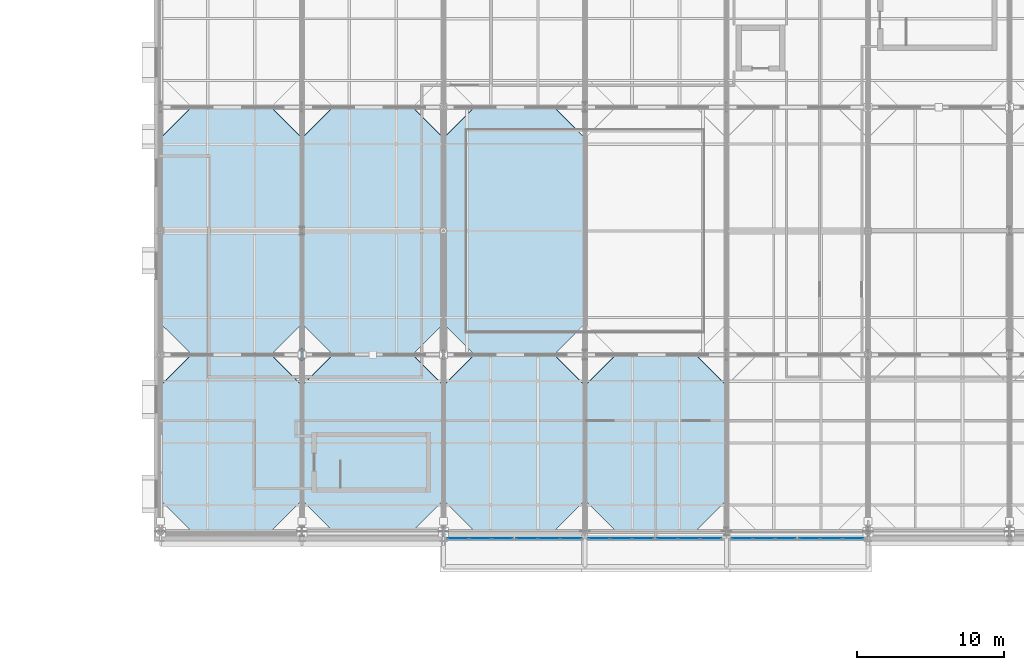
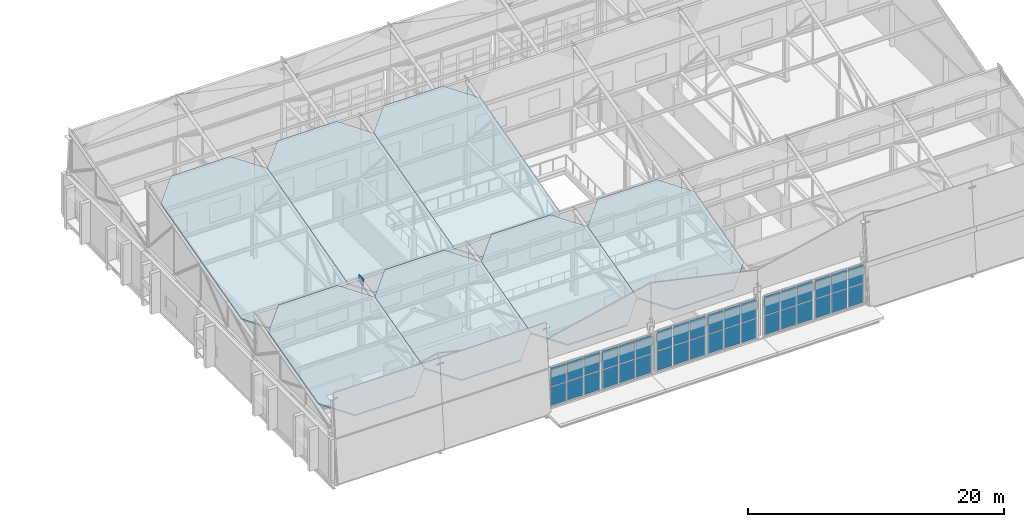
# One storey, part 60 of 89: 37 plates, 7 slabs, 7 elements without a shape of their own.
"""IFC4 building model written with IfcOpenShell, lengths in metres."""

from ifc_helpers import new_model, si_unit, direction, frame, origin, origin_2d, place, context, subcontext, project, spatial, polyline, rectangle, outline, extrude, material, layer, layer_set, type_object, element, aggregate, save


model = new_model("IFC4")

# Units and contexts
model_context = context("Model", 3, precision=1e-05, world=origin(), true_north=direction((0.0, 1.0)))
body_context = subcontext(model_context, "Body", "Model", "MODEL_VIEW")
ifc_project = project(units=[si_unit("LENGTHUNIT", "METRE"), si_unit("AREAUNIT", "SQUARE_METRE"), si_unit("VOLUMEUNIT", "CUBIC_METRE"), si_unit("PLANEANGLEUNIT", "RADIAN"), si_unit("MASSUNIT", "GRAM", prefix="KILO")], contexts=[model_context])

# Site, building, storey
site_placement = place(None, origin())
site = spatial("IfcSite", under=ifc_project, at=site_placement, CompositionType="ELEMENT")
building_placement = place(site_placement, origin())
building = spatial("IfcBuilding", under=site, at=building_placement, Name="Zereglee Splitstone Museum", CompositionType="ELEMENT")
storey_placement = place(building_placement, frame((0.0, 0.0, 21.300048828125)))
storey = spatial("IfcBuildingStorey", under=building, at=storey_placement, Name="L04", CompositionType="ELEMENT", Elevation=21.300048828125)

# Curtain wall, plates
ifc_material_1 = material(Name="Triple-glazed low-E argon glass and bronze-anodised aluminium", Category="aluminium")
ifc_layer_1 = layer(ifc_material_1, 0.219970703125)
ifc_layer_set_1 = layer_set([ifc_layer_1], Name="Triple-glazed low-E argon glass and bronze-anodised aluminium")
curtain_wall_type_1 = type_object("IfcCurtainWallType", Name="CW-0458-378", PredefinedType="USERDEFINED", material=ifc_layer_set_1)
curtain_wall_1_placement = place(storey_placement, origin())
curtain_wall_1 = element("IfcCurtainWall", 1, at=curtain_wall_1_placement, inside=storey, type_object=curtain_wall_type_1, Name="Glazed Curtain Wall CW-0458-378 (L04)", ObjectType="GLAZED CURTAIN WALL", PredefinedType="USERDEFINED")
ifc_material_2 = material(Name="Triple low-e argon insulated safety glass", Category="glass")
ifc_layer_2 = layer(ifc_material_2, 0.035888671875)
ifc_layer_set_2 = layer_set([ifc_layer_2], Name="Triple low-e argon insulated safety glass")
plate_type_1 = type_object("IfcPlateType", Name="CWP-01", PredefinedType="CURTAIN_PANEL", material=ifc_layer_set_2)
plate_1_placement = place(storey_placement, frame((98.189697265625, 9.1201171875, 0.07470703125), z_axis=(0.0, 0.0, 1.0), x_axis=(1.0, 0.0, 0.0)))
plate_1 = element("IfcPlate", 2, at=plate_1_placement, type_object=plate_type_1, Name="CW-0458-378 panel 1.1", PredefinedType="CURTAIN_PANEL", context=body_context, shape_type="SweptSolid", body=[
    extrude(rectangle(XDim=1.4130859375, YDim=0.035888671875, at=origin_2d()), origin(), (0.0, 0.0, 1.0), 1.777587890625),
])
plate_2_placement = place(storey_placement, frame((98.189697265625, 9.1201171875, 1.92724609375), z_axis=(0.0, 0.0, 1.0), x_axis=(1.0, 0.0, 0.0)))
plate_2 = element("IfcPlate", 3, at=plate_2_placement, type_object=plate_type_1, Name="CW-0458-378 panel 1.2", PredefinedType="CURTAIN_PANEL", context=body_context, shape_type="SweptSolid", body=[
    extrude(rectangle(XDim=1.4130859375, YDim=0.035888671875, at=origin_2d()), origin(), (0.0, 0.0, 1.0), 1.777587890625),
])
plate_3_placement = place(storey_placement, frame((99.696533203125, 9.1201171875, 0.07470703125), z_axis=(0.0, 0.0, 1.0), x_axis=(1.0, 0.0, 0.0)))
plate_3 = element("IfcPlate", 4, at=plate_3_placement, type_object=plate_type_1, Name="CW-0458-378 panel 2.1", PredefinedType="CURTAIN_PANEL", context=body_context, shape_type="SweptSolid", body=[
    extrude(rectangle(XDim=1.45068359375, YDim=0.035888671875, at=origin_2d()), origin(), (0.0, 0.0, 1.0), 1.777587890625),
])
plate_4_placement = place(storey_placement, frame((99.696533203125, 9.1201171875, 1.92724609375), z_axis=(0.0, 0.0, 1.0), x_axis=(1.0, 0.0, 0.0)))
plate_4 = element("IfcPlate", 5, at=plate_4_placement, type_object=plate_type_1, Name="CW-0458-378 panel 2.2", PredefinedType="CURTAIN_PANEL", context=body_context, shape_type="SweptSolid", body=[
    extrude(rectangle(XDim=1.45068359375, YDim=0.035888671875, at=origin_2d()), origin(), (0.0, 0.0, 1.0), 1.777587890625),
])
plate_5_placement = place(storey_placement, frame((101.203369140625, 9.1201171875, 0.07470703125), z_axis=(0.0, 0.0, 1.0), x_axis=(1.0, 0.0, 0.0)))
plate_5 = element("IfcPlate", 6, at=plate_5_placement, type_object=plate_type_1, Name="CW-0458-378 panel 3.1", PredefinedType="CURTAIN_PANEL", context=body_context, shape_type="SweptSolid", body=[
    extrude(rectangle(XDim=1.4130859375, YDim=0.035888671875, at=origin_2d()), origin(), (0.0, 0.0, 1.0), 1.777587890625),
])
plate_6_placement = place(storey_placement, frame((101.203369140625, 9.1201171875, 1.92724609375), z_axis=(0.0, 0.0, 1.0), x_axis=(1.0, 0.0, 0.0)))
plate_6 = element("IfcPlate", 7, at=plate_6_placement, type_object=plate_type_1, Name="CW-0458-378 panel 3.2", PredefinedType="CURTAIN_PANEL", context=body_context, shape_type="SweptSolid", body=[
    extrude(rectangle(XDim=1.4130859375, YDim=0.035888671875, at=origin_2d()), origin(), (0.0, 0.0, 1.0), 1.777587890625),
])
aggregate(curtain_wall_1, [plate_1, plate_2, plate_3, plate_4, plate_5, plate_6])

ifc_layer_3 = layer(ifc_material_1, 0.219970703125)
ifc_layer_set_3 = layer_set([ifc_layer_3], Name="Triple-glazed low-E argon glass and bronze-anodised aluminium")
curtain_wall_type_2 = type_object("IfcCurtainWallType", Name="CW-0458-376", PredefinedType="USERDEFINED", material=ifc_layer_set_3)
curtain_wall_2_placement = place(storey_placement, origin())
curtain_wall_2 = element("IfcCurtainWall", 8, at=curtain_wall_2_placement, inside=storey, type_object=curtain_wall_type_2, Name="Glazed Curtain Wall CW-0458-376 (L04)", ObjectType="GLAZED CURTAIN WALL", PredefinedType="USERDEFINED")
plate_7_placement = place(storey_placement, frame((102.8466796875, 9.1201171875, 0.074951171875), z_axis=(0.0, 0.0, 1.0), x_axis=(1.0, 0.0, 0.0)))
plate_7 = element("IfcPlate", 9, at=plate_7_placement, type_object=plate_type_1, Name="CW-0458-376 panel 1.1", PredefinedType="CURTAIN_PANEL", context=body_context, shape_type="SweptSolid", body=[
    extrude(rectangle(XDim=1.4130859375, YDim=0.035888671875, at=origin_2d()), origin(), (0.0, 0.0, 1.0), 1.767578125),
])
plate_8_placement = place(storey_placement, frame((102.8466796875, 9.1201171875, 1.91748046875), z_axis=(0.0, 0.0, 1.0), x_axis=(1.0, 0.0, 0.0)))
plate_8 = element("IfcPlate", 10, at=plate_8_placement, type_object=plate_type_1, Name="CW-0458-376 panel 1.2", PredefinedType="CURTAIN_PANEL", context=body_context, shape_type="SweptSolid", body=[
    extrude(rectangle(XDim=1.4130859375, YDim=0.035888671875, at=origin_2d()), origin(), (0.0, 0.0, 1.0), 1.767578125),
])
plate_9_placement = place(storey_placement, frame((104.353515625, 9.1201171875, 0.074951171875), z_axis=(0.0, 0.0, 1.0), x_axis=(1.0, 0.0, 0.0)))
plate_9 = element("IfcPlate", 11, at=plate_9_placement, type_object=plate_type_1, Name="CW-0458-376 panel 2.1", PredefinedType="CURTAIN_PANEL", context=body_context, shape_type="SweptSolid", body=[
    extrude(rectangle(XDim=1.45068359375, YDim=0.035888671875, at=origin_2d()), origin(), (0.0, 0.0, 1.0), 1.767578125),
])
plate_10_placement = place(storey_placement, frame((104.353515625, 9.1201171875, 1.91748046875), z_axis=(0.0, 0.0, 1.0), x_axis=(1.0, 0.0, 0.0)))
plate_10 = element("IfcPlate", 12, at=plate_10_placement, type_object=plate_type_1, Name="CW-0458-376 panel 2.2", PredefinedType="CURTAIN_PANEL", context=body_context, shape_type="SweptSolid", body=[
    extrude(rectangle(XDim=1.45068359375, YDim=0.035888671875, at=origin_2d()), origin(), (0.0, 0.0, 1.0), 1.767578125),
])
plate_11_placement = place(storey_placement, frame((105.8603515625, 9.1201171875, 0.074951171875), z_axis=(0.0, 0.0, 1.0), x_axis=(1.0, 0.0, 0.0)))
plate_11 = element("IfcPlate", 13, at=plate_11_placement, type_object=plate_type_1, Name="CW-0458-376 panel 3.1", PredefinedType="CURTAIN_PANEL", context=body_context, shape_type="SweptSolid", body=[
    extrude(rectangle(XDim=1.4130859375, YDim=0.035888671875, at=origin_2d()), origin(), (0.0, 0.0, 1.0), 1.767578125),
])
plate_12_placement = place(storey_placement, frame((105.8603515625, 9.1201171875, 1.91748046875), z_axis=(0.0, 0.0, 1.0), x_axis=(1.0, 0.0, 0.0)))
plate_12 = element("IfcPlate", 14, at=plate_12_placement, type_object=plate_type_1, Name="CW-0458-376 panel 3.2", PredefinedType="CURTAIN_PANEL", context=body_context, shape_type="SweptSolid", body=[
    extrude(rectangle(XDim=1.4130859375, YDim=0.035888671875, at=origin_2d()), origin(), (0.0, 0.0, 1.0), 1.767578125),
])
aggregate(curtain_wall_2, [plate_7, plate_8, plate_9, plate_10, plate_11, plate_12])

ifc_layer_4 = layer(ifc_material_1, 0.219970703125)
ifc_layer_set_4 = layer_set([ifc_layer_4], Name="Triple-glazed low-E argon glass and bronze-anodised aluminium")
curtain_wall_type_3 = type_object("IfcCurtainWallType", Name="CW-0454-390", PredefinedType="USERDEFINED", material=ifc_layer_set_4)
curtain_wall_3_placement = place(storey_placement, origin())
curtain_wall_3 = element("IfcCurtainWall", 15, at=curtain_wall_3_placement, inside=storey, type_object=curtain_wall_type_3, Name="Glazed Curtain Wall CW-0454-390 (L04)", ObjectType="GLAZED CURTAIN WALL", PredefinedType="USERDEFINED")
plate_13_placement = place(storey_placement, frame((107.7333984375, 9.1201171875, 0.074951171875), z_axis=(0.0, 0.0, 1.0), x_axis=(1.0, 0.0, 0.0)))
plate_13 = element("IfcPlate", 16, at=plate_13_placement, type_object=plate_type_1, Name="CW-0454-390 panel 1.1", PredefinedType="CURTAIN_PANEL", context=body_context, shape_type="SweptSolid", body=[
    extrude(rectangle(XDim=1.400634765625, YDim=0.035888671875, at=origin_2d()), origin(), (0.0, 0.0, 1.0), 1.83740234375),
])
plate_14_placement = place(storey_placement, frame((107.7333984375, 9.1201171875, 1.987548828125), z_axis=(0.0, 0.0, 1.0), x_axis=(1.0, 0.0, 0.0)))
plate_14 = element("IfcPlate", 17, at=plate_14_placement, type_object=plate_type_1, Name="CW-0454-390 panel 1.2", PredefinedType="CURTAIN_PANEL", context=body_context, shape_type="SweptSolid", body=[
    extrude(rectangle(XDim=1.400634765625, YDim=0.035888671875, at=origin_2d()), origin(), (0.0, 0.0, 1.0), 1.83740234375),
])
plate_15_placement = place(storey_placement, frame((109.227783203125, 9.1201171875, 0.074951171875), z_axis=(0.0, 0.0, 1.0), x_axis=(1.0, 0.0, 0.0)))
plate_15 = element("IfcPlate", 18, at=plate_15_placement, type_object=plate_type_1, Name="CW-0454-390 panel 2.1", PredefinedType="CURTAIN_PANEL", context=body_context, shape_type="SweptSolid", body=[
    extrude(rectangle(XDim=1.438232421875, YDim=0.035888671875, at=origin_2d()), origin(), (0.0, 0.0, 1.0), 1.83740234375),
])
plate_16_placement = place(storey_placement, frame((109.227783203125, 9.1201171875, 1.987548828125), z_axis=(0.0, 0.0, 1.0), x_axis=(1.0, 0.0, 0.0)))
plate_16 = element("IfcPlate", 19, at=plate_16_placement, type_object=plate_type_1, Name="CW-0454-390 panel 2.2", PredefinedType="CURTAIN_PANEL", context=body_context, shape_type="SweptSolid", body=[
    extrude(rectangle(XDim=1.438232421875, YDim=0.035888671875, at=origin_2d()), origin(), (0.0, 0.0, 1.0), 1.83740234375),
])
plate_17_placement = place(storey_placement, frame((110.72216796875, 9.1201171875, 0.074951171875), z_axis=(0.0, 0.0, 1.0), x_axis=(1.0, 0.0, 0.0)))
plate_17 = element("IfcPlate", 20, at=plate_17_placement, type_object=plate_type_1, Name="CW-0454-390 panel 3.1", PredefinedType="CURTAIN_PANEL", context=body_context, shape_type="SweptSolid", body=[
    extrude(rectangle(XDim=1.400634765625, YDim=0.035888671875, at=origin_2d()), origin(), (0.0, 0.0, 1.0), 1.83740234375),
])
plate_18_placement = place(storey_placement, frame((110.72216796875, 9.1201171875, 1.987548828125), z_axis=(0.0, 0.0, 1.0), x_axis=(1.0, 0.0, 0.0)))
plate_18 = element("IfcPlate", 21, at=plate_18_placement, type_object=plate_type_1, Name="CW-0454-390 panel 3.2", PredefinedType="CURTAIN_PANEL", context=body_context, shape_type="SweptSolid", body=[
    extrude(rectangle(XDim=1.400634765625, YDim=0.035888671875, at=origin_2d()), origin(), (0.0, 0.0, 1.0), 1.83740234375),
])
aggregate(curtain_wall_3, [plate_13, plate_14, plate_15, plate_16, plate_17, plate_18])

ifc_layer_5 = layer(ifc_material_1, 0.219970703125)
ifc_layer_set_5 = layer_set([ifc_layer_5], Name="Triple-glazed low-E argon glass and bronze-anodised aluminium")
curtain_wall_type_4 = type_object("IfcCurtainWallType", Name="CW-0454-388", PredefinedType="USERDEFINED", material=ifc_layer_set_5)
curtain_wall_4_placement = place(storey_placement, origin())
curtain_wall_4 = element("IfcCurtainWall", 22, at=curtain_wall_4_placement, inside=storey, type_object=curtain_wall_type_4, Name="Glazed Curtain Wall CW-0454-388 (L04)", ObjectType="GLAZED CURTAIN WALL", PredefinedType="USERDEFINED")
plate_19_placement = place(storey_placement, frame((112.352783203125, 9.1201171875, 0.0751953125), z_axis=(0.0, 0.0, 1.0), x_axis=(1.0, 0.0, 0.0)))
plate_19 = element("IfcPlate", 23, at=plate_19_placement, type_object=plate_type_1, Name="CW-0454-388 panel 1.1", PredefinedType="CURTAIN_PANEL", context=body_context, shape_type="SweptSolid", body=[
    extrude(rectangle(XDim=1.400634765625, YDim=0.035888671875, at=origin_2d()), origin(), (0.0, 0.0, 1.0), 1.827392578125),
])
plate_20_placement = place(storey_placement, frame((112.352783203125, 9.1201171875, 1.9775390625), z_axis=(0.0, 0.0, 1.0), x_axis=(1.0, 0.0, 0.0)))
plate_20 = element("IfcPlate", 24, at=plate_20_placement, type_object=plate_type_1, Name="CW-0454-388 panel 1.2", PredefinedType="CURTAIN_PANEL", context=body_context, shape_type="SweptSolid", body=[
    extrude(rectangle(XDim=1.400634765625, YDim=0.035888671875, at=origin_2d()), origin(), (0.0, 0.0, 1.0), 1.827392578125),
])
plate_21_placement = place(storey_placement, frame((113.84716796875, 9.1201171875, 0.0751953125), z_axis=(0.0, 0.0, 1.0), x_axis=(1.0, 0.0, 0.0)))
plate_21 = element("IfcPlate", 25, at=plate_21_placement, type_object=plate_type_1, Name="CW-0454-388 panel 2.1", PredefinedType="CURTAIN_PANEL", context=body_context, shape_type="SweptSolid", body=[
    extrude(rectangle(XDim=1.438232421875, YDim=0.035888671875, at=origin_2d()), origin(), (0.0, 0.0, 1.0), 1.827392578125),
])
plate_22_placement = place(storey_placement, frame((113.84716796875, 9.1201171875, 1.9775390625), z_axis=(0.0, 0.0, 1.0), x_axis=(1.0, 0.0, 0.0)))
plate_22 = element("IfcPlate", 26, at=plate_22_placement, type_object=plate_type_1, Name="CW-0454-388 panel 2.2", PredefinedType="CURTAIN_PANEL", context=body_context, shape_type="SweptSolid", body=[
    extrude(rectangle(XDim=1.438232421875, YDim=0.035888671875, at=origin_2d()), origin(), (0.0, 0.0, 1.0), 1.827392578125),
])
plate_23_placement = place(storey_placement, frame((115.341552734375, 9.1201171875, 0.0751953125), z_axis=(0.0, 0.0, 1.0), x_axis=(1.0, 0.0, 0.0)))
plate_23 = element("IfcPlate", 27, at=plate_23_placement, type_object=plate_type_1, Name="CW-0454-388 panel 3.1", PredefinedType="CURTAIN_PANEL", context=body_context, shape_type="SweptSolid", body=[
    extrude(rectangle(XDim=1.400634765625, YDim=0.035888671875, at=origin_2d()), origin(), (0.0, 0.0, 1.0), 1.827392578125),
])
plate_24_placement = place(storey_placement, frame((115.341552734375, 9.1201171875, 1.9775390625), z_axis=(0.0, 0.0, 1.0), x_axis=(1.0, 0.0, 0.0)))
plate_24 = element("IfcPlate", 28, at=plate_24_placement, type_object=plate_type_1, Name="CW-0454-388 panel 3.2", PredefinedType="CURTAIN_PANEL", context=body_context, shape_type="SweptSolid", body=[
    extrude(rectangle(XDim=1.400634765625, YDim=0.035888671875, at=origin_2d()), origin(), (0.0, 0.0, 1.0), 1.827392578125),
])
aggregate(curtain_wall_4, [plate_19, plate_20, plate_21, plate_22, plate_23, plate_24])

ifc_layer_6 = layer(ifc_material_1, 0.219970703125)
ifc_layer_set_6 = layer_set([ifc_layer_6], Name="Triple-glazed low-E argon glass and bronze-anodised aluminium")
curtain_wall_type_5 = type_object("IfcCurtainWallType", Name="CW-0450-384", PredefinedType="USERDEFINED", material=ifc_layer_set_6)
curtain_wall_5_placement = place(storey_placement, origin())
curtain_wall_5 = element("IfcCurtainWall", 29, at=curtain_wall_5_placement, inside=storey, type_object=curtain_wall_type_5, Name="Glazed Curtain Wall CW-0450-384 (L04)", ObjectType="GLAZED CURTAIN WALL", PredefinedType="USERDEFINED")
plate_25_placement = place(storey_placement, frame((117.451904296875, 9.1201171875, 0.074951171875), z_axis=(0.0, 0.0, 1.0), x_axis=(1.0, 0.0, 0.0)))
plate_25 = element("IfcPlate", 30, at=plate_25_placement, type_object=plate_type_1, Name="CW-0450-384 panel 1.1", PredefinedType="CURTAIN_PANEL", context=body_context, shape_type="SweptSolid", body=[
    extrude(rectangle(XDim=1.3876953125, YDim=0.035888671875, at=origin_2d()), origin(), (0.0, 0.0, 1.0), 1.8076171875),
])
plate_26_placement = place(storey_placement, frame((117.451904296875, 9.1201171875, 1.957275390625), z_axis=(0.0, 0.0, 1.0), x_axis=(1.0, 0.0, 0.0)))
plate_26 = element("IfcPlate", 31, at=plate_26_placement, type_object=plate_type_1, Name="CW-0450-384 panel 1.2", PredefinedType="CURTAIN_PANEL", context=body_context, shape_type="SweptSolid", body=[
    extrude(rectangle(XDim=1.3876953125, YDim=0.035888671875, at=origin_2d()), origin(), (0.0, 0.0, 1.0), 1.8076171875),
])
plate_27_placement = place(storey_placement, frame((118.93310546875, 9.1201171875, 0.074951171875), z_axis=(0.0, 0.0, 1.0), x_axis=(1.0, 0.0, 0.0)))
plate_27 = element("IfcPlate", 32, at=plate_27_placement, type_object=plate_type_1, Name="CW-0450-384 panel 2.1", PredefinedType="CURTAIN_PANEL", context=body_context, shape_type="SweptSolid", body=[
    extrude(rectangle(XDim=1.425048828125, YDim=0.035888671875, at=origin_2d()), origin(), (0.0, 0.0, 1.0), 1.8076171875),
])
plate_28_placement = place(storey_placement, frame((118.93310546875, 9.1201171875, 1.957275390625), z_axis=(0.0, 0.0, 1.0), x_axis=(1.0, 0.0, 0.0)))
plate_28 = element("IfcPlate", 33, at=plate_28_placement, type_object=plate_type_1, Name="CW-0450-384 panel 2.2", PredefinedType="CURTAIN_PANEL", context=body_context, shape_type="SweptSolid", body=[
    extrude(rectangle(XDim=1.425048828125, YDim=0.035888671875, at=origin_2d()), origin(), (0.0, 0.0, 1.0), 1.8076171875),
])
plate_29_placement = place(storey_placement, frame((120.41455078125, 9.1201171875, 0.074951171875), z_axis=(0.0, 0.0, 1.0), x_axis=(1.0, 0.0, 0.0)))
plate_29 = element("IfcPlate", 34, at=plate_29_placement, type_object=plate_type_1, Name="CW-0450-384 panel 3.1", PredefinedType="CURTAIN_PANEL", context=body_context, shape_type="SweptSolid", body=[
    extrude(rectangle(XDim=1.3876953125, YDim=0.035888671875, at=origin_2d()), origin(), (0.0, 0.0, 1.0), 1.8076171875),
])
plate_30_placement = place(storey_placement, frame((120.41455078125, 9.1201171875, 1.957275390625), z_axis=(0.0, 0.0, 1.0), x_axis=(1.0, 0.0, 0.0)))
plate_30 = element("IfcPlate", 35, at=plate_30_placement, type_object=plate_type_1, Name="CW-0450-384 panel 3.2", PredefinedType="CURTAIN_PANEL", context=body_context, shape_type="SweptSolid", body=[
    extrude(rectangle(XDim=1.3876953125, YDim=0.035888671875, at=origin_2d()), origin(), (0.0, 0.0, 1.0), 1.8076171875),
])
aggregate(curtain_wall_5, [plate_25, plate_26, plate_27, plate_28, plate_29, plate_30])

ifc_layer_7 = layer(ifc_material_1, 0.219970703125)
ifc_layer_set_7 = layer_set([ifc_layer_7], Name="Triple-glazed low-E argon glass and bronze-anodised aluminium")
curtain_wall_type_6 = type_object("IfcCurtainWallType", Name="CW-0450-382", PredefinedType="USERDEFINED", material=ifc_layer_set_7)
curtain_wall_6_placement = place(storey_placement, origin())
curtain_wall_6 = element("IfcCurtainWall", 36, at=curtain_wall_6_placement, inside=storey, type_object=curtain_wall_type_6, Name="Glazed Curtain Wall CW-0450-382 (L04)", ObjectType="GLAZED CURTAIN WALL", PredefinedType="USERDEFINED")
plate_31_placement = place(storey_placement, frame((122.031982421875, 9.1201171875, 0.07470703125), z_axis=(0.0, 0.0, 1.0), x_axis=(1.0, 0.0, 0.0)))
plate_31 = element("IfcPlate", 37, at=plate_31_placement, type_object=plate_type_1, Name="CW-0450-382 panel 1.1", PredefinedType="CURTAIN_PANEL", context=body_context, shape_type="SweptSolid", body=[
    extrude(rectangle(XDim=1.3876953125, YDim=0.035888671875, at=origin_2d()), origin(), (0.0, 0.0, 1.0), 1.797607421875),
])
plate_32_placement = place(storey_placement, frame((122.031982421875, 9.1201171875, 1.947265625), z_axis=(0.0, 0.0, 1.0), x_axis=(1.0, 0.0, 0.0)))
plate_32 = element("IfcPlate", 38, at=plate_32_placement, type_object=plate_type_1, Name="CW-0450-382 panel 1.2", PredefinedType="CURTAIN_PANEL", context=body_context, shape_type="SweptSolid", body=[
    extrude(rectangle(XDim=1.3876953125, YDim=0.035888671875, at=origin_2d()), origin(), (0.0, 0.0, 1.0), 1.797607421875),
])
plate_33_placement = place(storey_placement, frame((123.513427734375, 9.1201171875, 0.07470703125), z_axis=(0.0, 0.0, 1.0), x_axis=(1.0, 0.0, 0.0)))
plate_33 = element("IfcPlate", 39, at=plate_33_placement, type_object=plate_type_1, Name="CW-0450-382 panel 2.1", PredefinedType="CURTAIN_PANEL", context=body_context, shape_type="SweptSolid", body=[
    extrude(rectangle(XDim=1.425048828125, YDim=0.035888671875, at=origin_2d()), origin(), (0.0, 0.0, 1.0), 1.797607421875),
])
plate_34_placement = place(storey_placement, frame((123.513427734375, 9.1201171875, 1.947265625), z_axis=(0.0, 0.0, 1.0), x_axis=(1.0, 0.0, 0.0)))
plate_34 = element("IfcPlate", 40, at=plate_34_placement, type_object=plate_type_1, Name="CW-0450-382 panel 2.2", PredefinedType="CURTAIN_PANEL", context=body_context, shape_type="SweptSolid", body=[
    extrude(rectangle(XDim=1.425048828125, YDim=0.035888671875, at=origin_2d()), origin(), (0.0, 0.0, 1.0), 1.797607421875),
])
plate_35_placement = place(storey_placement, frame((124.99462890625, 9.1201171875, 0.07470703125), z_axis=(0.0, 0.0, 1.0), x_axis=(1.0, 0.0, 0.0)))
plate_35 = element("IfcPlate", 41, at=plate_35_placement, type_object=plate_type_1, Name="CW-0450-382 panel 3.1", PredefinedType="CURTAIN_PANEL", context=body_context, shape_type="SweptSolid", body=[
    extrude(rectangle(XDim=1.3876953125, YDim=0.035888671875, at=origin_2d()), origin(), (0.0, 0.0, 1.0), 1.797607421875),
])
plate_36_placement = place(storey_placement, frame((124.99462890625, 9.1201171875, 1.947265625), z_axis=(0.0, 0.0, 1.0), x_axis=(1.0, 0.0, 0.0)))
plate_36 = element("IfcPlate", 42, at=plate_36_placement, type_object=plate_type_1, Name="CW-0450-382 panel 3.2", PredefinedType="CURTAIN_PANEL", context=body_context, shape_type="SweptSolid", body=[
    extrude(rectangle(XDim=1.3876953125, YDim=0.035888671875, at=origin_2d()), origin(), (0.0, 0.0, 1.0), 1.797607421875),
])
aggregate(curtain_wall_6, [plate_31, plate_32, plate_33, plate_34, plate_35, plate_36])

# Plate
ifc_material_3 = material(Name="Steel S355J2", Category="steel")
ifc_layer_8 = layer(ifc_material_3, 0.06005859375)
ifc_layer_set_8 = layer_set([ifc_layer_8], Name="Steel S355J2")
plate_type_2 = type_object("IfcPlateType", Name="NP-01", PredefinedType="SHEET", material=ifc_layer_set_8)
plate_37_placement = place(storey_placement, frame((87.60009765625, 21.60009765625, 7.58984375), z_axis=(0.0, 0.0, 1.0), x_axis=(1.0, 0.0, 0.0)))
element("IfcPlate", 43, at=plate_37_placement, inside=storey, type_object=plate_type_2, Name="Sawtooth Truss Node Plate TN-02-1.3", PredefinedType="SHEET", context=body_context, shape_type="SweptSolid", body=[
    extrude(rectangle(XDim=0.06005859375, YDim=0.719970703125, at=origin_2d()), origin(), (0.0, 0.0, 1.0), 0.719970703125),
])

# Roof, slabs
ifc_material_4 = material(Name="Standing-seam zinc roofing on Concrete C35/45", Category="concrete")
ifc_layer_9 = layer(ifc_material_4, 0.219970703125)
ifc_layer_set_9 = layer_set([ifc_layer_9], Name="Concrete C35/45")
roof_type = type_object("IfcRoofType", Name="RF-A1", PredefinedType="SHED_ROOF", material=ifc_layer_set_9)
roof_placement = place(storey_placement, origin())
roof = element("IfcRoof", 44, at=roof_placement, inside=storey, type_object=roof_type, Name="Seven-Bay North-Light Sawtooth Roof Assembly V2", PredefinedType="SHED_ROOF")
ifc_material_5 = material(Name="Concrete C35/45", Category="concrete")
ifc_layer_10 = layer(ifc_material_5, 0.159912109375)
ifc_layer_set_10 = layer_set([ifc_layer_10], Name="Concrete C35/45")
slab_type = type_object("IfcSlabType", Name="RS-06", PredefinedType="ROOF", material=ifc_layer_set_10)
slab_1_placement = place(storey_placement, frame((80.112060546875, 9.60009765625, 5.0), z_axis=(0.0, -0.257656921176, 0.966236467419), x_axis=(1.0, 0.0, 0.0)))
slab_1 = element("IfcSlab", 45, at=slab_1_placement, type_object=slab_type, Name="Sawtooth Roof Slab Bay 1 Shed 1", PredefinedType="ROOF", context=body_context, shape_type="SweptSolid", body=[
    extrude(outline(polyline([(0.0, 0.0), (5.3759765625, 0.0), (7.488037109375, 2.1856347559390357), (7.488037109375, 10.233456522371243), (5.3759765625, 12.419327175885332), (0.0, 12.419327175885332), (-2.112060546875, 10.233456522371243), (-2.112060546875, 2.1856347559390357), (0.0, 0.0)])), origin(), (0.0, 0.0, -1.0), 0.159912109375),
])
slab_2_placement = place(storey_placement, frame((80.112060546875, 21.60009765625, 5.800048828125), z_axis=(0.0, -0.258735788064, 0.9659481311), x_axis=(1.0, 0.0, 0.0)))
slab_2 = element("IfcSlab", 46, at=slab_2_placement, type_object=slab_type, Name="Sawtooth Roof Slab Bay 1 Shed 2", PredefinedType="ROOF", context=body_context, shape_type="SweptSolid", body=[
    extrude(outline(polyline([(0.0, 0.0), (5.3759765625, 0.0), (7.488037109375, 2.1862651745498622), (7.488037109375, 15.205722644550846), (5.3759765625, 17.392050987017715), (0.0, 17.392050987017715), (-2.112060546875, 15.205722644550846), (-2.112060546875, 2.1862651745498622), (0.0, 0.0)])), origin(), (0.0, 0.0, -1.0), 0.159912109375),
])
slab_3_placement = place(storey_placement, frame((89.7119140625, 9.60009765625, 5.0), z_axis=(0.0, -0.257656921248, 0.9662364674), x_axis=(1.0, 0.0, 0.0)))
slab_3 = element("IfcSlab", 47, at=slab_3_placement, type_object=slab_type, Name="Sawtooth Roof Slab Bay 2 Shed 1", PredefinedType="ROOF", context=body_context, shape_type="SweptSolid", body=[
    extrude(outline(polyline([(0.0, 0.0), (5.3759765625, 0.0), (7.488037109375, 2.1856347559390428), (7.488037109375, 10.233456522371243), (5.3759765625, 12.419327175885334), (0.0, 12.419327175885334), (-2.11181640625, 10.233456522371243), (-2.11181640625, 2.1856347559390428), (0.0, 0.0)])), origin(), (0.0, 0.0, -1.0), 0.159912109375),
])
slab_4_placement = place(storey_placement, frame((89.7119140625, 21.60009765625, 5.800048828125), z_axis=(0.0, -0.258735788171, 0.965948131071), x_axis=(1.0, 0.0, 0.0)))
slab_4 = element("IfcSlab", 48, at=slab_4_placement, type_object=slab_type, Name="Sawtooth Roof Slab Bay 2 Shed 2", PredefinedType="ROOF", context=body_context, shape_type="SweptSolid", body=[
    extrude(outline(polyline([(0.0, 0.0), (5.3759765625, 0.0), (7.488037109375, 2.1862651745498627), (7.488037109375, 15.205722644550823), (5.3759765625, 17.392050987017722), (0.0, 17.392050987017722), (-2.11181640625, 15.205722644550823), (-2.11181640625, 2.1862651745498627), (0.0, 0.0)])), origin(), (0.0, 0.0, -1.0), 0.159912109375),
])
slab_5_placement = place(storey_placement, frame((99.31201171875, 9.60009765625, 5.0), z_axis=(0.0, -0.257656921176, 0.966236467419), x_axis=(1.0, 0.0, 0.0)))
slab_5 = element("IfcSlab", 49, at=slab_5_placement, type_object=slab_type, Name="Sawtooth Roof Slab Bay 3 Shed 1", PredefinedType="ROOF", context=body_context, shape_type="SweptSolid", body=[
    extrude(outline(polyline([(0.0, 0.0), (5.3759765625, 0.0), (7.488037109375, 2.1856347559390357), (7.488037109375, 10.233456522371243), (5.3759765625, 12.419327175885332), (0.0, 12.419327175885332), (-2.112060546875, 10.233456522371243), (-2.112060546875, 2.1856347559390357), (0.0, 0.0)])), origin(), (0.0, 0.0, -1.0), 0.159912109375),
])
slab_6_placement = place(storey_placement, frame((99.31201171875, 21.60009765625, 5.800048828125), z_axis=(0.0, -0.258735788064, 0.9659481311), x_axis=(1.0, 0.0, 0.0)))
slab_6 = element("IfcSlab", 50, at=slab_6_placement, type_object=slab_type, Name="Sawtooth Roof Slab Bay 3 Shed 2", PredefinedType="ROOF", context=body_context, shape_type="SweptSolid", body=[
    extrude(outline(polyline([(0.0, 0.0), (5.3759765625, 0.0), (7.488037109375, 2.1862651745498622), (7.488037109375, 15.205722644550846), (5.3759765625, 17.392050987017715), (0.0, 17.392050987017715), (-2.112060546875, 15.205722644550846), (-2.112060546875, 2.1862651745498622), (0.0, 0.0)])), origin(), (0.0, 0.0, -1.0), 0.159912109375),
])
slab_7_placement = place(storey_placement, frame((108.912109375, 9.60009765625, 5.0), z_axis=(0.0, -0.257656921248, 0.9662364674), x_axis=(1.0, 0.0, 0.0)))
slab_7 = element("IfcSlab", 51, at=slab_7_placement, type_object=slab_type, Name="Sawtooth Roof Slab Bay 4 Shed 1", PredefinedType="ROOF", context=body_context, shape_type="SweptSolid", body=[
    extrude(outline(polyline([(0.0, 0.0), (5.3759765625, 0.0), (7.48779296875, 2.1856347559390428), (7.48779296875, 10.233456522371243), (5.3759765625, 12.419327175885334), (0.0, 12.419327175885334), (-2.112060546875, 10.233456522371243), (-2.112060546875, 2.1856347559390428), (0.0, 0.0)])), origin(), (0.0, 0.0, -1.0), 0.159912109375),
])
aggregate(roof, [slab_1, slab_2, slab_3, slab_4, slab_5, slab_6, slab_7])

save(model, "model.ifc")
